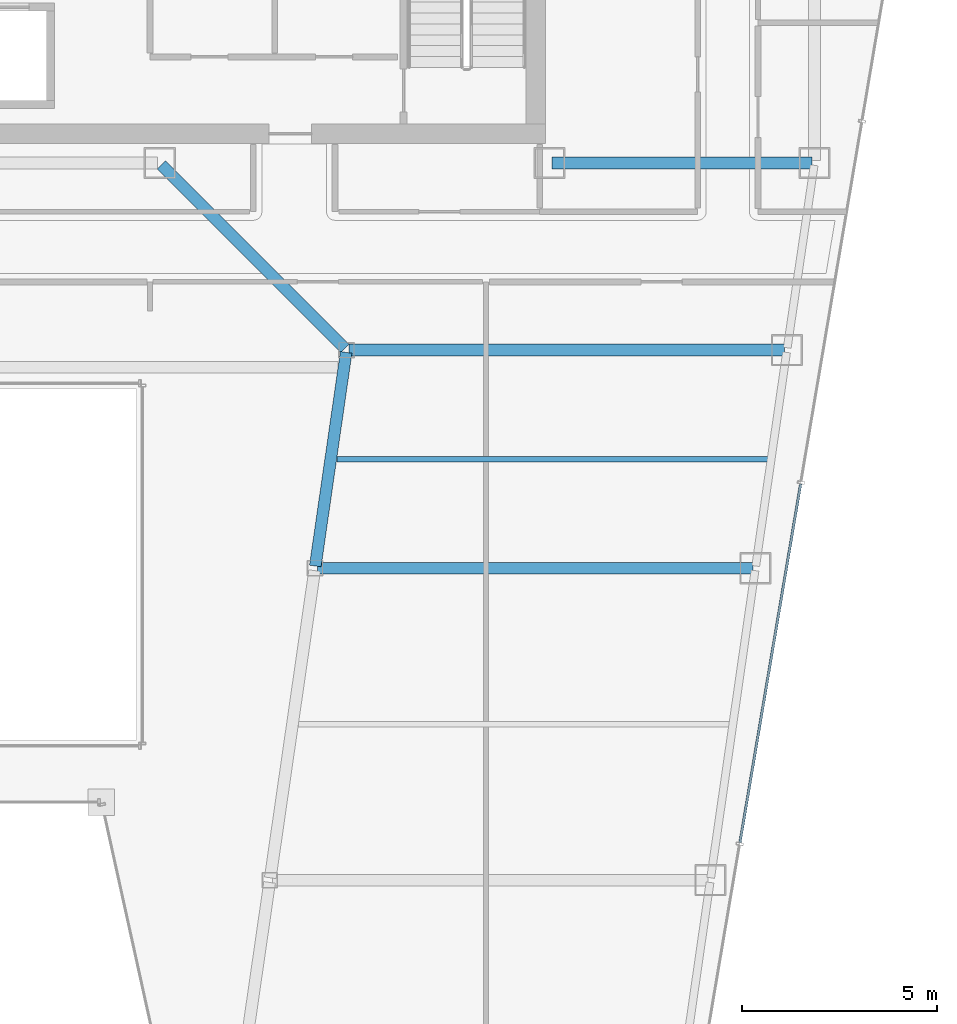
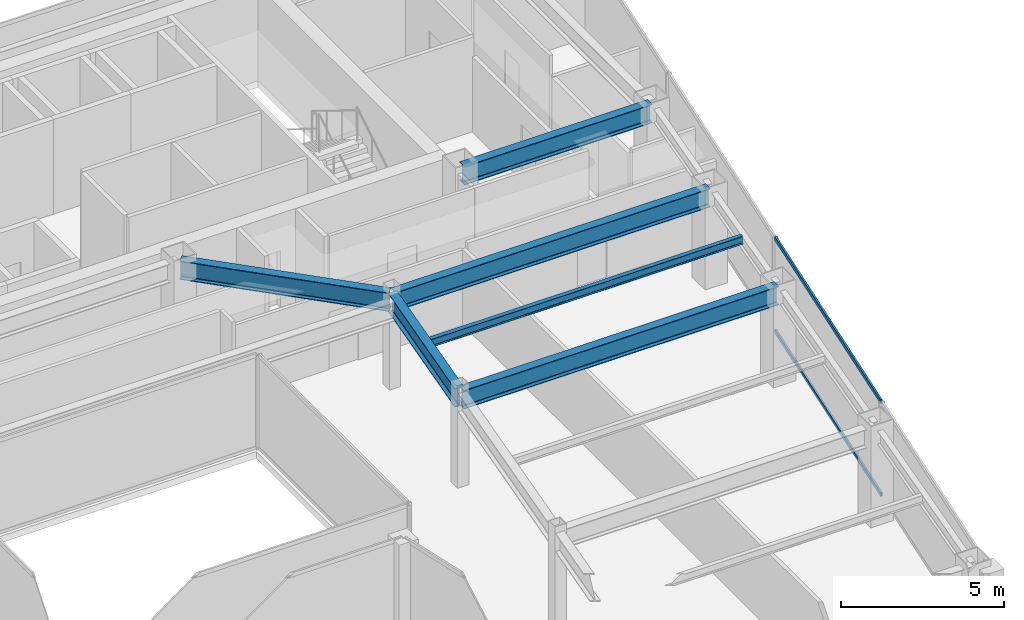
# One storey, part 21 of 36: 6 beams, 2 members, 1 element without a shape of its own.
"""IFC4 building model written with IfcOpenShell, lengths in metres."""

from ifc_helpers import new_model, si_unit, direction, frame, origin, origin_2d, place, context, subcontext, project, spatial, hollow_rectangle, i_section, extrude, material, material_profile, profile_set, type_object, element, aggregate, save


model = new_model("IFC4")

# Units and contexts
model_context = context("Model", 3, precision=1e-05, world=origin(), true_north=direction((0.0, 1.0)))
body_context = subcontext(model_context, "Body", "Model", "MODEL_VIEW")
ifc_project = project(units=[si_unit("LENGTHUNIT", "METRE"), si_unit("AREAUNIT", "SQUARE_METRE"), si_unit("VOLUMEUNIT", "CUBIC_METRE"), si_unit("PLANEANGLEUNIT", "RADIAN"), si_unit("MASSUNIT", "GRAM", prefix="KILO")], contexts=[model_context])

# Site, building, storey
site_placement = place(None, origin())
site = spatial("IfcSite", under=ifc_project, at=site_placement, CompositionType="ELEMENT")
building_placement = place(site_placement, origin())
building = spatial("IfcBuilding", under=site, at=building_placement, Name="Saevonmaru Cultural Tower", CompositionType="ELEMENT")
storey_placement = place(building_placement, frame((0.0, 0.0, 198.0)))
storey = spatial("IfcBuildingStorey", under=building, at=storey_placement, Name="L45", CompositionType="ELEMENT", Elevation=198.0)

# Beams
ifc_material_1 = material(Name="Steel SM355", Category="steel")
ifc_material_profile_1 = material_profile(ifc_material_1, i_section(OverallWidth=0.300048828125, OverallDepth=0.699951171875, WebThickness=0.012939453125, FlangeThickness=0.02392578125, FilletRadius=0.02587890625, at=origin_2d()), Name="H-700x300x13x24")
ifc_profile_set_1 = profile_set([ifc_material_profile_1], Name="Steel SM355")
beam_type_1 = type_object("IfcBeamType", Name="BM-G-H700", PredefinedType="BEAM", material=ifc_profile_set_1)
beam_1_placement = place(storey_placement, frame((46.4599609375, 42.39990234375, 3.199951171875), z_axis=(1.0, 0.0, 0.0), x_axis=(0.0, 1.0, 0.0)))
element("IfcBeam", 1, at=beam_1_placement, inside=storey, type_object=beam_type_1, Name="L45 Core South Girder 5", PredefinedType="BEAM", context=body_context, shape_type="SweptSolid", body=[
    extrude(i_section(OverallWidth=0.300048828125, OverallDepth=0.699951171875, WebThickness=0.012939453125, FlangeThickness=0.02392578125, FilletRadius=0.02587890625, at=origin_2d()), origin(), (0.0, 0.0, 1.0), 6.679931640625),
])
beam_2_placement = place(storey_placement, frame((40.3916015625, 32.059326171875, 3.199951171875), z_axis=(0.142964121327, 0.989727871697, 0.0), x_axis=(-0.989727871697, 0.142964121327, 0.0)))
element("IfcBeam", 2, at=beam_2_placement, inside=storey, type_object=beam_type_1, Name="L45 East Atrium Girder 3", PredefinedType="BEAM", context=body_context, shape_type="SweptSolid", body=[
    extrude(i_section(OverallWidth=0.300048828125, OverallDepth=0.699951171875, WebThickness=0.012939453125, FlangeThickness=0.02392578125, FilletRadius=0.02587890625, at=origin_2d()), origin(), (0.0, 0.0, 1.0), 5.5380859375),
])
beam_3_placement = place(storey_placement, frame((41.149658203125, 37.642578125, 3.199951171875), z_axis=(-0.706538566564, 0.707674539572, 0.0), x_axis=(-0.707674539572, -0.706538566564, 0.0)))
element("IfcBeam", 3, at=beam_3_placement, inside=storey, type_object=beam_type_1, Name="L45 East Atrium Girder 4", PredefinedType="BEAM", context=body_context, shape_type="SweptSolid", body=[
    extrude(i_section(OverallWidth=0.300048828125, OverallDepth=0.699951171875, WebThickness=0.012939453125, FlangeThickness=0.02392578125, FilletRadius=0.02587890625, at=origin_2d()), origin(), (0.0, 0.0, 1.0), 6.662353515625),
])
for number, where, z_axis, x_axis, name in (
    (4, (40.443115234375, 32.0, 3.199951171875), (1.0, 0.0, 0.0), (0.0, 1.0, 0.0), "L45 East Wing Transverse Girder 3"),
    (5, (41.251953125, 37.60009765625, 3.199951171875), (1.0, 0.0, 0.0), (0.0, 1.0, 0.0), "L45 East Wing Transverse Girder 4"),
):
    element("IfcBeam", number, at=place(storey_placement, frame(where, z_axis=z_axis, x_axis=x_axis)), inside=storey, type_object=beam_type_1, Name=name, PredefinedType="BEAM", context=body_context, shape_type="SweptSolid", body=[
        extrude(i_section(OverallWidth=0.300048828125, OverallDepth=0.699951171875, WebThickness=0.012939453125, FlangeThickness=0.02392578125, FilletRadius=0.02587890625, at=origin_2d()), origin(), (0.0, 0.0, 1.0), 11.179931640625),
    ])
ifc_material_profile_2 = material_profile(ifc_material_1, i_section(OverallWidth=0.14990234375, OverallDepth=0.300048828125, WebThickness=0.006591796875, FlangeThickness=0.009033203125, FilletRadius=0.012939453125, at=origin_2d()), Name="H-300x150x6.5x9")
ifc_profile_set_2 = profile_set([ifc_material_profile_2], Name="Steel SM355")
beam_type_2 = type_object("IfcBeamType", Name="BM-J-H300", PredefinedType="JOIST", material=ifc_profile_set_2)
beam_4_placement = place(storey_placement, frame((40.945556640625, 34.800048828125, 3.39990234375), z_axis=(1.0, 0.0, 0.0), x_axis=(0.0, 1.0, 0.0)))
element("IfcBeam", 6, at=beam_4_placement, inside=storey, type_object=beam_type_2, Name="L45 East Wing Floor Joist 3", PredefinedType="JOIST", context=body_context, shape_type="SweptSolid", body=[
    extrude(i_section(OverallWidth=0.14990234375, OverallDepth=0.300048828125, WebThickness=0.006591796875, FlangeThickness=0.009033203125, FilletRadius=0.012939453125, at=origin_2d()), origin(), (0.0, 0.0, 1.0), 11.08203125),
])

# Curtain wall, members
ifc_material_2 = material(Name="Satin Bronze Anodised Aluminium", Category="aluminium")
curtain_wall_type = type_object("IfcCurtainWallType", Name="CW-TYP-B", PredefinedType="NOTDEFINED", material=ifc_material_2)
curtain_wall_placement = place(storey_placement, origin())
curtain_wall = element("IfcCurtainWall", 7, at=curtain_wall_placement, inside=storey, type_object=curtain_wall_type, Name="L45 Unitised Curtain Wall E8", PredefinedType="NOTDEFINED")
ifc_material_profile_3 = material_profile(ifc_material_2, hollow_rectangle(XDim=0.06494140625, YDim=0.14990234375, WallThickness=0.00390625, at=origin_2d()), Name="ALU-TRAN-150x65x4")
ifc_profile_set_3 = profile_set([ifc_material_profile_3], Name="Satin Bronze Anodised Aluminium")
member_type = type_object("IfcMemberType", Name="TR-CW-150x65", PredefinedType="USERDEFINED", material=ifc_profile_set_3)
member_1_placement = place(storey_placement, frame((51.287109375, 24.961669921875, 0.032470703125), z_axis=(0.166921263871, 0.985970228591, 0.0), x_axis=(-0.985970228591, 0.166921263871, 0.0)))
member_1 = element("IfcMember", 8, at=member_1_placement, type_object=member_type, Name="CW-TW-L45-E8 transom 2.1", ObjectType="TRANSOM", PredefinedType="USERDEFINED", context=body_context, shape_type="SweptSolid", body=[
    extrude(hollow_rectangle(XDim=0.06494140625, YDim=0.14990234375, WallThickness=0.00390625, at=origin_2d()), origin(), (0.0, 0.0, 1.0), 9.33740234375),
])
member_2_placement = place(storey_placement, frame((51.287109375, 24.961669921875, 3.517578125), z_axis=(0.166921263871, 0.985970228591, 0.0), x_axis=(-0.985970228591, 0.166921263871, 0.0)))
member_2 = element("IfcMember", 9, at=member_2_placement, type_object=member_type, Name="CW-TW-L45-E8 transom 2.2", ObjectType="TRANSOM", PredefinedType="USERDEFINED", context=body_context, shape_type="SweptSolid", body=[
    extrude(hollow_rectangle(XDim=0.06494140625, YDim=0.14990234375, WallThickness=0.00390625, at=origin_2d()), origin(), (0.0, 0.0, 1.0), 9.33740234375),
])
aggregate(curtain_wall, [member_1, member_2])

save(model, "model.ifc")
